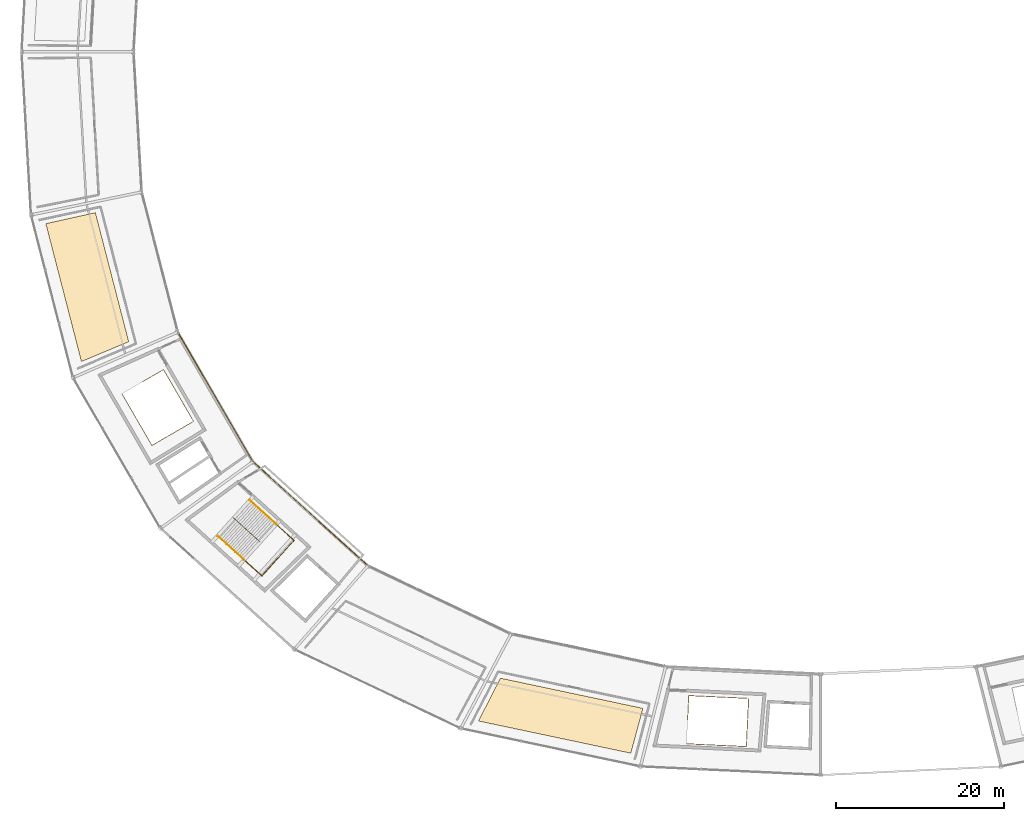
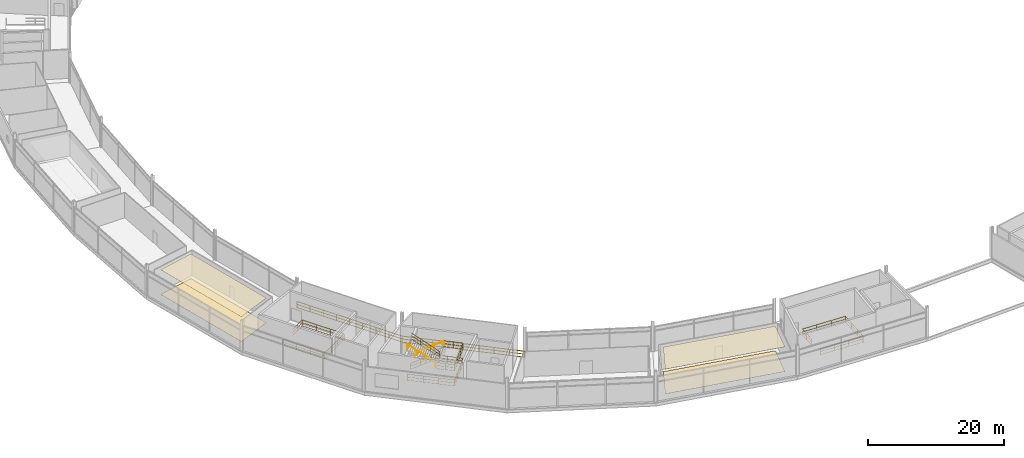
# One storey, part 82 of 86: 9 railings, 4 coverings.
"""IFC4 building model written with IfcOpenShell, lengths in metres."""

from ifc_helpers import new_model, si_unit, direction, frame, origin, origin_2d, place, context, subcontext, project, spatial, polyline, rectangle, outline, extrude, material, layer, layer_set, type_object, element, save


model = new_model("IFC4")

# Units and contexts
model_context = context("Model", 3, precision=1e-05, world=origin(), true_north=direction((0.0, 1.0)))
body_context = subcontext(model_context, "Body", "Model", "MODEL_VIEW")
ifc_project = project(units=[si_unit("LENGTHUNIT", "METRE"), si_unit("AREAUNIT", "SQUARE_METRE"), si_unit("VOLUMEUNIT", "CUBIC_METRE"), si_unit("PLANEANGLEUNIT", "RADIAN"), si_unit("MASSUNIT", "GRAM", prefix="KILO")], contexts=[model_context])

# Site, building, storey
site_placement = place(None, origin())
site = spatial("IfcSite", under=ifc_project, at=site_placement, CompositionType="ELEMENT")
building_placement = place(site_placement, origin())
building = spatial("IfcBuilding", under=site, at=building_placement, Name="Kazemori Nagisa Stadium", CompositionType="ELEMENT")
storey_placement = place(building_placement, frame((0.0, 0.0, 31.280029296875)))
storey = spatial("IfcBuildingStorey", under=building, at=storey_placement, Name="L06", CompositionType="ELEMENT", Elevation=31.280029296875)

# Coverings
ifc_material_1 = material(Name="Mineral-fibre acoustic board", Category="gypsum")
ifc_layer_1 = layer(ifc_material_1, 0.02001953125, Name="Mineral-fibre acoustic board", Category="gypsum")
ifc_layer_set_1 = layer_set([ifc_layer_1], Name="Mineral-fibre acoustic board")
covering_type_1 = type_object("IfcCoveringType", Name="Cov_CEIL", PredefinedType="CEILING", material=ifc_layer_set_1)
covering_1_placement = place(storey_placement, frame((0.0, 0.0, 4.429931640625)))
element("IfcCovering", 1, at=covering_1_placement, inside=storey, type_object=covering_type_1, Name="Acoustic ceiling L06-B16", PredefinedType="CEILING", context=body_context, shape_type="SweptSolid", body=[
    extrude(outline(polyline([(36.764404296875, 82.866455078125), (40.7255859375, 67.52197265625), (35.103759765625, 65.166015625), (30.871826171875, 81.55908203125), (36.764404296875, 82.866455078125)])), origin(), (0.0, 0.0, 1.0), 0.02001953125),
])
covering_2_placement = place(storey_placement, frame((0.0, 0.0, 4.429931640625)))
element("IfcCovering", 2, at=covering_2_placement, inside=storey, type_object=covering_type_1, Name="Acoustic ceiling L06-B20", PredefinedType="CEILING", context=body_context, shape_type="SweptSolid", body=[
    extrude(outline(polyline([(84.913818359375, 27.52001953125), (101.864013671875, 23.93408203125), (100.419677734375, 18.599853515625), (82.311279296875, 22.430908203125), (84.913818359375, 27.52001953125)])), origin(), (0.0, 0.0, 1.0), 0.02001953125),
])
ifc_material_2 = material(Name="Porcelain stoneware tile", Category="masonry")
ifc_layer_2 = layer(ifc_material_2, 0.02490234375, Name="Porcelain stoneware tile", Category="masonry")
ifc_layer_set_2 = layer_set([ifc_layer_2], Name="Porcelain stoneware tile")
covering_type_2 = type_object("IfcCoveringType", Name="Cov_FLOOR", PredefinedType="FLOORING", material=ifc_layer_set_2)
covering_3_placement = place(storey_placement, origin())
element("IfcCovering", 3, at=covering_3_placement, inside=storey, type_object=covering_type_2, Name="Porcelain floor finish L06-B16", PredefinedType="FLOORING", context=body_context, shape_type="SweptSolid", body=[
    extrude(outline(polyline([(36.764404296875, 82.866455078125), (40.7255859375, 67.52197265625), (35.103759765625, 65.166015625), (30.871826171875, 81.55908203125), (36.764404296875, 82.866455078125)])), origin(), (0.0, 0.0, 1.0), 0.02490234375),
])
covering_4_placement = place(storey_placement, origin())
element("IfcCovering", 4, at=covering_4_placement, inside=storey, type_object=covering_type_2, Name="Porcelain floor finish L06-B20", PredefinedType="FLOORING", context=body_context, shape_type="SweptSolid", body=[
    extrude(outline(polyline([(84.913818359375, 27.52001953125), (101.864013671875, 23.93408203125), (100.419677734375, 18.599853515625), (82.311279296875, 22.430908203125), (84.913818359375, 27.52001953125)])), origin(), (0.0, 0.0, 1.0), 0.02490234375),
])

# Railings
ifc_material_3 = material(Name="Laminated safety glass and stainless steel SUS304", Category="steel")
railing_type_1 = type_object("IfcRailingType", Name="Rail_BAL", PredefinedType="BALUSTRADE", material=ifc_material_3)
railing_1_placement = place(storey_placement, frame((46.55908203125, 68.67529296875, 0.0)))
element("IfcRailing", 5, at=railing_1_placement, inside=storey, type_object=railing_type_1, Name="Upper concourse balustrade L06-B17", PredefinedType="BALUSTRADE", context=body_context, shape_type="SweptSolid", body=[
    extrude(rectangle(XDim=0.050048828125, YDim=0.050048828125, at=origin_2d()), frame((0.0, 0.0, 1.09521484375), z_axis=(0.501606704589, -0.865095783085, 0.0), x_axis=(0.865095783085, 0.501606704589, 0.0)), (0.0, 0.0, 1.0), 17.8125),
    extrude(rectangle(XDim=0.03759765625, YDim=0.03759765625, at=origin_2d()), frame((0.0, 0.0, 0.58251953125), z_axis=(0.501606704589, -0.865095783085, 0.0), x_axis=(0.865095783085, 0.501606704589, 0.0)), (0.0, 0.0, 1.0), 17.8125),
    extrude(rectangle(XDim=0.03759765625, YDim=0.03759765625, at=origin_2d()), frame((0.0, 0.0, 0.02490234375), z_axis=(0.501606704589, -0.865095783085, 0.0), x_axis=(0.865095783085, 0.501606704589, 0.0)), (0.0, 0.0, 1.0), 17.8125),
    extrude(rectangle(XDim=0.044921875, YDim=0.044921875, at=origin_2d()), origin(), (0.0, 0.0, 1.0), 1.070068359375),
    extrude(rectangle(XDim=0.044921875, YDim=0.044921875, at=origin_2d()), frame((1.116943359375, -1.92626953125, 0.0)), (0.0, 0.0, 1.0), 1.070068359375),
    extrude(rectangle(XDim=0.044921875, YDim=0.044921875, at=origin_2d()), frame((2.233642578125, -3.852294921875, 0.0)), (0.0, 0.0, 1.0), 1.070068359375),
    extrude(rectangle(XDim=0.044921875, YDim=0.044921875, at=origin_2d()), frame((3.3505859375, -5.778564453125, 0.0)), (0.0, 0.0, 1.0), 1.070068359375),
    extrude(rectangle(XDim=0.044921875, YDim=0.044921875, at=origin_2d()), frame((4.46728515625, -7.70458984375, 0.0)), (0.0, 0.0, 1.0), 1.070068359375),
    extrude(rectangle(XDim=0.044921875, YDim=0.044921875, at=origin_2d()), frame((5.584228515625, -9.630859375, 0.0)), (0.0, 0.0, 1.0), 1.070068359375),
    extrude(rectangle(XDim=0.044921875, YDim=0.044921875, at=origin_2d()), frame((6.701171875, -11.55712890625, 0.0)), (0.0, 0.0, 1.0), 1.070068359375),
    extrude(rectangle(XDim=0.044921875, YDim=0.044921875, at=origin_2d()), frame((7.81787109375, -13.483154296875, 0.0)), (0.0, 0.0, 1.0), 1.070068359375),
    extrude(rectangle(XDim=0.044921875, YDim=0.044921875, at=origin_2d()), frame((8.934814453125, -15.409423828125, 0.0)), (0.0, 0.0, 1.0), 1.070068359375),
])
railing_2_placement = place(storey_placement, frame((55.493896484375, 53.265869140625, 0.0)))
element("IfcRailing", 6, at=railing_2_placement, inside=storey, type_object=railing_type_1, Name="Upper concourse balustrade L06-B18", PredefinedType="BALUSTRADE", context=body_context, shape_type="SweptSolid", body=[
    extrude(rectangle(XDim=0.050048828125, YDim=0.050048828125, at=origin_2d()), frame((0.0, 0.0, 1.09521484375), z_axis=(0.741349142139, -0.671119549298, 0.0), x_axis=(0.671119549298, 0.741349142139, 0.0)), (0.0, 0.0, 1.0), 18.44189453125),
    extrude(rectangle(XDim=0.03759765625, YDim=0.03759765625, at=origin_2d()), frame((0.0, 0.0, 0.58251953125), z_axis=(0.741349142139, -0.671119549298, 0.0), x_axis=(0.671119549298, 0.741349142139, 0.0)), (0.0, 0.0, 1.0), 18.44189453125),
    extrude(rectangle(XDim=0.03759765625, YDim=0.03759765625, at=origin_2d()), frame((0.0, 0.0, 0.02490234375), z_axis=(0.741349142139, -0.671119549298, 0.0), x_axis=(0.671119549298, 0.741349142139, 0.0)), (0.0, 0.0, 1.0), 18.44189453125),
    extrude(rectangle(XDim=0.044921875, YDim=0.044921875, at=origin_2d()), origin(), (0.0, 0.0, 1.0), 1.070068359375),
    extrude(rectangle(XDim=0.044921875, YDim=0.044921875, at=origin_2d()), frame((1.708984375, -1.547119140625, 0.0)), (0.0, 0.0, 1.0), 1.070068359375),
    extrude(rectangle(XDim=0.044921875, YDim=0.044921875, at=origin_2d()), frame((3.41796875, -3.09423828125, 0.0)), (0.0, 0.0, 1.0), 1.070068359375),
    extrude(rectangle(XDim=0.044921875, YDim=0.044921875, at=origin_2d()), frame((5.126953125, -4.641357421875, 0.0)), (0.0, 0.0, 1.0), 1.070068359375),
    extrude(rectangle(XDim=0.044921875, YDim=0.044921875, at=origin_2d()), frame((6.8359375, -6.1884765625, 0.0)), (0.0, 0.0, 1.0), 1.070068359375),
    extrude(rectangle(XDim=0.044921875, YDim=0.044921875, at=origin_2d()), frame((8.544921875, -7.7353515625, 0.0)), (0.0, 0.0, 1.0), 1.070068359375),
    extrude(rectangle(XDim=0.044921875, YDim=0.044921875, at=origin_2d()), frame((10.25390625, -9.282470703125, 0.0)), (0.0, 0.0, 1.0), 1.070068359375),
    extrude(rectangle(XDim=0.044921875, YDim=0.044921875, at=origin_2d()), frame((11.962890625, -10.82958984375, 0.0)), (0.0, 0.0, 1.0), 1.070068359375),
    extrude(rectangle(XDim=0.044921875, YDim=0.044921875, at=origin_2d()), frame((13.671875, -12.376708984375, 0.0)), (0.0, 0.0, 1.0), 1.070068359375),
])
ifc_material_4 = material(Name="Galvanised powder-coated steel", Category="steel")
railing_type_2 = type_object("IfcRailingType", Name="Rail_GUARD", PredefinedType="GUARDRAIL", material=ifc_material_4)
railing_3_placement = place(storey_placement, frame((42.39306640625, 62.766357421875, 0.0)))
element("IfcRailing", 7, at=railing_3_placement, inside=storey, type_object=railing_type_2, Name="Stair well perimeter guard ST09-L06", PredefinedType="GUARDRAIL", context=body_context, shape_type="SweptSolid", body=[
    extrude(rectangle(XDim=0.050048828125, YDim=0.050048828125, at=origin_2d()), frame((0.0, 0.0, 1.09521484375), z_axis=(0.865083975458, 0.501627068055, 0.0), x_axis=(-0.501627068055, 0.865083975458, 0.0)), (0.0, 0.0, 1.0), 2.85009765625),
    extrude(rectangle(XDim=0.03759765625, YDim=0.03759765625, at=origin_2d()), frame((0.0, 0.0, 0.58251953125), z_axis=(0.865083975458, 0.501627068055, 0.0), x_axis=(-0.501627068055, 0.865083975458, 0.0)), (0.0, 0.0, 1.0), 2.85009765625),
    extrude(rectangle(XDim=0.03759765625, YDim=0.03759765625, at=origin_2d()), frame((0.0, 0.0, 0.02490234375), z_axis=(0.865083975458, 0.501627068055, 0.0), x_axis=(-0.501627068055, 0.865083975458, 0.0)), (0.0, 0.0, 1.0), 2.85009765625),
    extrude(rectangle(XDim=0.050048828125, YDim=0.050048828125, at=origin_2d()), frame((2.465576171875, 1.4296875, 1.09521484375), z_axis=(0.501595007813, -0.865102565097, 0.0), x_axis=(0.865102565097, 0.501595007813, 0.0)), (0.0, 0.0, 1.0), 7.094970703125),
    extrude(rectangle(XDim=0.03759765625, YDim=0.03759765625, at=origin_2d()), frame((2.465576171875, 1.4296875, 0.58251953125), z_axis=(0.501595007813, -0.865102565097, 0.0), x_axis=(0.865102565097, 0.501595007813, 0.0)), (0.0, 0.0, 1.0), 7.094970703125),
    extrude(rectangle(XDim=0.03759765625, YDim=0.03759765625, at=origin_2d()), frame((2.465576171875, 1.4296875, 0.02490234375), z_axis=(0.501595007813, -0.865102565097, 0.0), x_axis=(0.865102565097, 0.501595007813, 0.0)), (0.0, 0.0, 1.0), 7.094970703125),
    extrude(rectangle(XDim=0.050048828125, YDim=0.050048828125, at=origin_2d()), frame((6.0244140625, -4.708251953125, 1.09521484375), z_axis=(-0.865091784601, -0.501613600508, 0.0), x_axis=(0.501613600508, -0.865091784601, 0.0)), (0.0, 0.0, 1.0), 5.699951171875),
    extrude(rectangle(XDim=0.03759765625, YDim=0.03759765625, at=origin_2d()), frame((6.0244140625, -4.708251953125, 0.58251953125), z_axis=(-0.865091784601, -0.501613600508, 0.0), x_axis=(0.501613600508, -0.865091784601, 0.0)), (0.0, 0.0, 1.0), 5.699951171875),
    extrude(rectangle(XDim=0.03759765625, YDim=0.03759765625, at=origin_2d()), frame((6.0244140625, -4.708251953125, 0.02490234375), z_axis=(-0.865091784601, -0.501613600508, 0.0), x_axis=(0.501613600508, -0.865091784601, 0.0)), (0.0, 0.0, 1.0), 5.699951171875),
    extrude(rectangle(XDim=0.050048828125, YDim=0.050048828125, at=origin_2d()), frame((1.093505859375, -7.5673828125, 1.09521484375), z_axis=(-0.501635691901, 0.865078974783, 0.0), x_axis=(-0.865078974783, -0.501635691901, 0.0)), (0.0, 0.0, 1.0), 7.094970703125),
    extrude(rectangle(XDim=0.03759765625, YDim=0.03759765625, at=origin_2d()), frame((1.093505859375, -7.5673828125, 0.58251953125), z_axis=(-0.501635691901, 0.865078974783, 0.0), x_axis=(-0.865078974783, -0.501635691901, 0.0)), (0.0, 0.0, 1.0), 7.094970703125),
    extrude(rectangle(XDim=0.03759765625, YDim=0.03759765625, at=origin_2d()), frame((1.093505859375, -7.5673828125, 0.02490234375), z_axis=(-0.501635691901, 0.865078974783, 0.0), x_axis=(-0.865078974783, -0.501635691901, 0.0)), (0.0, 0.0, 1.0), 7.094970703125),
    extrude(rectangle(XDim=0.044921875, YDim=0.044921875, at=origin_2d()), origin(), (0.0, 0.0, 1.0), 1.070068359375),
    extrude(rectangle(XDim=0.044921875, YDim=0.044921875, at=origin_2d()), frame((1.23291015625, 0.71484375, 0.0)), (0.0, 0.0, 1.0), 1.070068359375),
    extrude(rectangle(XDim=0.044921875, YDim=0.044921875, at=origin_2d()), frame((2.465576171875, 1.4296875, 0.0)), (0.0, 0.0, 1.0), 1.070068359375),
    extrude(rectangle(XDim=0.044921875, YDim=0.044921875, at=origin_2d()), frame((3.65185546875, -0.6162109375, 0.0)), (0.0, 0.0, 1.0), 1.070068359375),
    extrude(rectangle(XDim=0.044921875, YDim=0.044921875, at=origin_2d()), frame((4.838134765625, -2.662353515625, 0.0)), (0.0, 0.0, 1.0), 1.070068359375),
    extrude(rectangle(XDim=0.044921875, YDim=0.044921875, at=origin_2d()), frame((6.0244140625, -4.708251953125, 0.0)), (0.0, 0.0, 1.0), 1.070068359375),
    extrude(rectangle(XDim=0.044921875, YDim=0.044921875, at=origin_2d()), frame((4.380859375, -5.661376953125, 0.0)), (0.0, 0.0, 1.0), 1.070068359375),
    extrude(rectangle(XDim=0.044921875, YDim=0.044921875, at=origin_2d()), frame((2.737060546875, -6.6142578125, 0.0)), (0.0, 0.0, 1.0), 1.070068359375),
    extrude(rectangle(XDim=0.044921875, YDim=0.044921875, at=origin_2d()), frame((1.093505859375, -7.5673828125, 0.0)), (0.0, 0.0, 1.0), 1.070068359375),
    extrude(rectangle(XDim=0.044921875, YDim=0.044921875, at=origin_2d()), frame((-0.0927734375, -5.521484375, 0.0)), (0.0, 0.0, 1.0), 1.070068359375),
    extrude(rectangle(XDim=0.044921875, YDim=0.044921875, at=origin_2d()), frame((-1.279296875, -3.4755859375, 0.0)), (0.0, 0.0, 1.0), 1.070068359375),
    extrude(rectangle(XDim=0.044921875, YDim=0.044921875, at=origin_2d()), frame((-2.465576171875, -1.4296875, 0.0)), (0.0, 0.0, 1.0), 1.070068359375),
])
railing_4_placement = place(storey_placement, frame((55.12353515625, 48.665771484375, 0.0)))
element("IfcRailing", 8, at=railing_4_placement, inside=storey, type_object=railing_type_2, Name="Stair well perimeter guard ST03-L06", PredefinedType="GUARDRAIL", context=body_context, shape_type="SweptSolid", body=[
    extrude(rectangle(XDim=0.050048828125, YDim=0.050048828125, at=origin_2d()), frame((0.0, 0.0, 1.09521484375), z_axis=(0.741349073354, -0.671119625281, 0.0), x_axis=(0.671119625281, 0.741349073354, 0.0)), (0.0, 0.0, 1.0), 7.09521484375),
    extrude(rectangle(XDim=0.03759765625, YDim=0.03759765625, at=origin_2d()), frame((0.0, 0.0, 0.58251953125), z_axis=(0.741349073354, -0.671119625281, 0.0), x_axis=(0.671119625281, 0.741349073354, 0.0)), (0.0, 0.0, 1.0), 7.09521484375),
    extrude(rectangle(XDim=0.03759765625, YDim=0.03759765625, at=origin_2d()), frame((0.0, 0.0, 0.02490234375), z_axis=(0.741349073354, -0.671119625281, 0.0), x_axis=(0.671119625281, 0.741349073354, 0.0)), (0.0, 0.0, 1.0), 7.09521484375),
    extrude(rectangle(XDim=0.050048828125, YDim=0.050048828125, at=origin_2d()), frame((5.260009765625, -4.76171875, 1.09521484375), z_axis=(-0.67113423669, -0.74133584585, 0.0), x_axis=(0.74133584585, -0.67113423669, 0.0)), (0.0, 0.0, 1.0), 5.699951171875),
    extrude(rectangle(XDim=0.03759765625, YDim=0.03759765625, at=origin_2d()), frame((5.260009765625, -4.76171875, 0.58251953125), z_axis=(-0.67113423669, -0.74133584585, 0.0), x_axis=(0.74133584585, -0.67113423669, 0.0)), (0.0, 0.0, 1.0), 5.699951171875),
    extrude(rectangle(XDim=0.03759765625, YDim=0.03759765625, at=origin_2d()), frame((5.260009765625, -4.76171875, 0.02490234375), z_axis=(-0.67113423669, -0.74133584585, 0.0), x_axis=(0.74133584585, -0.67113423669, 0.0)), (0.0, 0.0, 1.0), 5.699951171875),
    extrude(rectangle(XDim=0.050048828125, YDim=0.050048828125, at=origin_2d()), frame((1.4345703125, -8.9873046875, 1.09521484375), z_axis=(-0.741350695223, 0.671117833686, 0.0), x_axis=(-0.671117833686, -0.741350695223, 0.0)), (0.0, 0.0, 1.0), 7.0947265625),
    extrude(rectangle(XDim=0.03759765625, YDim=0.03759765625, at=origin_2d()), frame((1.4345703125, -8.9873046875, 0.58251953125), z_axis=(-0.741350695223, 0.671117833686, 0.0), x_axis=(-0.671117833686, -0.741350695223, 0.0)), (0.0, 0.0, 1.0), 7.0947265625),
    extrude(rectangle(XDim=0.03759765625, YDim=0.03759765625, at=origin_2d()), frame((1.4345703125, -8.9873046875, 0.02490234375), z_axis=(-0.741350695223, 0.671117833686, 0.0), x_axis=(-0.671117833686, -0.741350695223, 0.0)), (0.0, 0.0, 1.0), 7.0947265625),
    extrude(rectangle(XDim=0.044921875, YDim=0.044921875, at=origin_2d()), origin(), (0.0, 0.0, 1.0), 1.070068359375),
    extrude(rectangle(XDim=0.044921875, YDim=0.044921875, at=origin_2d()), frame((1.75341796875, -1.587158203125, 0.0)), (0.0, 0.0, 1.0), 1.070068359375),
    extrude(rectangle(XDim=0.044921875, YDim=0.044921875, at=origin_2d()), frame((3.506591796875, -3.174560546875, 0.0)), (0.0, 0.0, 1.0), 1.070068359375),
    extrude(rectangle(XDim=0.044921875, YDim=0.044921875, at=origin_2d()), frame((5.260009765625, -4.76171875, 0.0)), (0.0, 0.0, 1.0), 1.070068359375),
    extrude(rectangle(XDim=0.044921875, YDim=0.044921875, at=origin_2d()), frame((3.98486328125, -6.170166015625, 0.0)), (0.0, 0.0, 1.0), 1.070068359375),
    extrude(rectangle(XDim=0.044921875, YDim=0.044921875, at=origin_2d()), frame((2.709716796875, -7.578857421875, 0.0)), (0.0, 0.0, 1.0), 1.070068359375),
    extrude(rectangle(XDim=0.044921875, YDim=0.044921875, at=origin_2d()), frame((1.4345703125, -8.9873046875, 0.0)), (0.0, 0.0, 1.0), 1.070068359375),
    extrude(rectangle(XDim=0.044921875, YDim=0.044921875, at=origin_2d()), frame((-0.318603515625, -7.400146484375, 0.0)), (0.0, 0.0, 1.0), 1.070068359375),
    extrude(rectangle(XDim=0.044921875, YDim=0.044921875, at=origin_2d()), frame((-2.072021484375, -5.81298828125, 0.0)), (0.0, 0.0, 1.0), 1.070068359375),
    extrude(rectangle(XDim=0.044921875, YDim=0.044921875, at=origin_2d()), frame((-3.8251953125, -4.225830078125, 0.0)), (0.0, 0.0, 1.0), 1.070068359375),
])
railing_5_placement = place(storey_placement, frame((53.151611328125, 46.606689453125, 0.0)))
element("IfcRailing", 9, at=railing_5_placement, inside=storey, type_object=railing_type_2, Name="Stair central guard ST03-L06", PredefinedType="GUARDRAIL", context=body_context, shape_type="SweptSolid", body=[
    extrude(rectangle(XDim=0.050048828125, YDim=0.050048828125, at=origin_2d()), frame((0.0, 0.0, 1.09521484375), z_axis=(0.627557777508, -0.568113486393, 0.532370456043), x_axis=(0.67112318634, 0.741345849626, 0.0)), (0.0, 0.0, 1.0), 5.109130859375),
    extrude(rectangle(XDim=0.03759765625, YDim=0.03759765625, at=origin_2d()), frame((0.0, 0.0, 0.58251953125), z_axis=(0.627557777508, -0.568113486393, 0.532370456043), x_axis=(0.67112318634, 0.741345849626, 0.0)), (0.0, 0.0, 1.0), 5.109130859375),
    extrude(rectangle(XDim=0.03759765625, YDim=0.03759765625, at=origin_2d()), frame((0.0, 0.0, 0.02490234375), z_axis=(0.627557777508, -0.568113486393, 0.532370456043), x_axis=(0.67112318634, 0.741345849626, 0.0)), (0.0, 0.0, 1.0), 5.109130859375),
    extrude(rectangle(XDim=0.050048828125, YDim=0.050048828125, at=origin_2d()), frame((3.206298828125, -2.902587890625, 3.81494140625), z_axis=(-0.624200602078, 0.565073454279, 0.539504957933), x_axis=(-0.671122625547, -0.741346357298, 0.0)), (0.0, 0.0, 1.0), 5.04150390625),
    extrude(rectangle(XDim=0.03759765625, YDim=0.03759765625, at=origin_2d()), frame((3.206298828125, -2.902587890625, 3.302490234375), z_axis=(-0.624200602078, 0.565073454279, 0.539504957933), x_axis=(-0.671122625547, -0.741346357298, 0.0)), (0.0, 0.0, 1.0), 5.04150390625),
    extrude(rectangle(XDim=0.03759765625, YDim=0.03759765625, at=origin_2d()), frame((3.206298828125, -2.902587890625, 2.7451171875), z_axis=(-0.624200602078, 0.565073454279, 0.539504957933), x_axis=(-0.671122625547, -0.741346357298, 0.0)), (0.0, 0.0, 1.0), 5.04150390625),
    extrude(rectangle(XDim=0.044921875, YDim=0.044921875, at=origin_2d()), origin(), (0.0, 0.0, 1.0), 1.070068359375),
    extrude(rectangle(XDim=0.044921875, YDim=0.044921875, at=origin_2d()), frame((1.06884765625, -0.967529296875, 0.90673828125)), (0.0, 0.0, 1.0), 1.070068359375),
    extrude(rectangle(XDim=0.044921875, YDim=0.044921875, at=origin_2d()), frame((2.137451171875, -1.93505859375, 1.813232421875)), (0.0, 0.0, 1.0), 1.070068359375),
    extrude(rectangle(XDim=0.044921875, YDim=0.044921875, at=origin_2d()), frame((3.206298828125, -2.902587890625, 2.719970703125)), (0.0, 0.0, 1.0), 1.070068359375),
    extrude(rectangle(XDim=0.044921875, YDim=0.044921875, at=origin_2d()), frame((2.1572265625, -1.952880859375, 3.626708984375)), (0.0, 0.0, 1.0), 1.070068359375),
    extrude(rectangle(XDim=0.044921875, YDim=0.044921875, at=origin_2d()), frame((1.1083984375, -1.00341796875, 4.533203125)), (0.0, 0.0, 1.0), 1.070068359375),
    extrude(rectangle(XDim=0.044921875, YDim=0.044921875, at=origin_2d()), frame((0.059326171875, -0.0537109375, 5.43994140625)), (0.0, 0.0, 1.0), 1.070068359375),
])
railing_6_placement = place(storey_placement, frame((58.270751953125, 45.81689453125, 2.719970703125)))
element("IfcRailing", 10, at=railing_6_placement, inside=storey, type_object=railing_type_2, Name="Stair landing guard ST03-L06", PredefinedType="GUARDRAIL", context=body_context, shape_type="SweptSolid", body=[
    extrude(rectangle(XDim=0.050048828125, YDim=0.050048828125, at=origin_2d()), frame((0.0, 0.0, 1.09521484375), z_axis=(0.741314535645, -0.671157775223, 0.0), x_axis=(0.671157775223, 0.741314535645, 0.0)), (0.0, 0.0, 1.0), 2.85009765625),
    extrude(rectangle(XDim=0.03759765625, YDim=0.03759765625, at=origin_2d()), frame((0.0, 0.0, 0.58251953125), z_axis=(0.741314535645, -0.671157775223, 0.0), x_axis=(0.671157775223, 0.741314535645, 0.0)), (0.0, 0.0, 1.0), 2.85009765625),
    extrude(rectangle(XDim=0.03759765625, YDim=0.03759765625, at=origin_2d()), frame((0.0, 0.0, 0.02490234375), z_axis=(0.741314535645, -0.671157775223, 0.0), x_axis=(0.671157775223, 0.741314535645, 0.0)), (0.0, 0.0, 1.0), 2.85009765625),
    extrude(rectangle(XDim=0.050048828125, YDim=0.050048828125, at=origin_2d()), frame((2.11279296875, -1.912841796875, 1.09521484375), z_axis=(-0.67113423669, -0.74133584585, 0.0), x_axis=(0.74133584585, -0.67113423669, 0.0)), (0.0, 0.0, 1.0), 5.699951171875),
    extrude(rectangle(XDim=0.03759765625, YDim=0.03759765625, at=origin_2d()), frame((2.11279296875, -1.912841796875, 0.58251953125), z_axis=(-0.67113423669, -0.74133584585, 0.0), x_axis=(0.74133584585, -0.67113423669, 0.0)), (0.0, 0.0, 1.0), 5.699951171875),
    extrude(rectangle(XDim=0.03759765625, YDim=0.03759765625, at=origin_2d()), frame((2.11279296875, -1.912841796875, 0.02490234375), z_axis=(-0.67113423669, -0.74133584585, 0.0), x_axis=(0.74133584585, -0.67113423669, 0.0)), (0.0, 0.0, 1.0), 5.699951171875),
    extrude(rectangle(XDim=0.050048828125, YDim=0.050048828125, at=origin_2d()), frame((-1.712646484375, -6.138427734375, 1.09521484375), z_axis=(-0.741357156534, 0.671110696127, 0.0), x_axis=(-0.671110696127, -0.741357156534, 0.0)), (0.0, 0.0, 1.0), 2.849853515625),
    extrude(rectangle(XDim=0.03759765625, YDim=0.03759765625, at=origin_2d()), frame((-1.712646484375, -6.138427734375, 0.58251953125), z_axis=(-0.741357156534, 0.671110696127, 0.0), x_axis=(-0.671110696127, -0.741357156534, 0.0)), (0.0, 0.0, 1.0), 2.849853515625),
    extrude(rectangle(XDim=0.03759765625, YDim=0.03759765625, at=origin_2d()), frame((-1.712646484375, -6.138427734375, 0.02490234375), z_axis=(-0.741357156534, 0.671110696127, 0.0), x_axis=(-0.671110696127, -0.741357156534, 0.0)), (0.0, 0.0, 1.0), 2.849853515625),
    extrude(rectangle(XDim=0.044921875, YDim=0.044921875, at=origin_2d()), origin(), (0.0, 0.0, 1.0), 1.070068359375),
    extrude(rectangle(XDim=0.044921875, YDim=0.044921875, at=origin_2d()), frame((1.056396484375, -0.95654296875, 0.0)), (0.0, 0.0, 1.0), 1.070068359375),
    extrude(rectangle(XDim=0.044921875, YDim=0.044921875, at=origin_2d()), frame((2.11279296875, -1.912841796875, 0.0)), (0.0, 0.0, 1.0), 1.070068359375),
    extrude(rectangle(XDim=0.044921875, YDim=0.044921875, at=origin_2d()), frame((0.837646484375, -3.3212890625, 0.0)), (0.0, 0.0, 1.0), 1.070068359375),
    extrude(rectangle(XDim=0.044921875, YDim=0.044921875, at=origin_2d()), frame((-0.4375, -4.72998046875, 0.0)), (0.0, 0.0, 1.0), 1.070068359375),
    extrude(rectangle(XDim=0.044921875, YDim=0.044921875, at=origin_2d()), frame((-1.712646484375, -6.138427734375, 0.0)), (0.0, 0.0, 1.0), 1.070068359375),
    extrude(rectangle(XDim=0.044921875, YDim=0.044921875, at=origin_2d()), frame((-2.76904296875, -5.18212890625, 0.0)), (0.0, 0.0, 1.0), 1.070068359375),
    extrude(rectangle(XDim=0.044921875, YDim=0.044921875, at=origin_2d()), frame((-3.825439453125, -4.225830078125, 0.0)), (0.0, 0.0, 1.0), 1.070068359375),
])
railing_7_placement = place(storey_placement, frame((107.190185546875, 22.588134765625, 0.0)))
element("IfcRailing", 11, at=railing_7_placement, inside=storey, type_object=railing_type_2, Name="Stair well perimeter guard ST12-L06", PredefinedType="GUARDRAIL", context=body_context, shape_type="SweptSolid", body=[
    extrude(rectangle(XDim=0.050048828125, YDim=0.050048828125, at=origin_2d()), frame((0.0, 0.0, 1.09521484375), z_axis=(0.047202899858, 0.998885321869, 0.0), x_axis=(-0.998885321869, 0.047202899858, 0.0)), (0.0, 0.0, 1.0), 2.849853515625),
    extrude(rectangle(XDim=0.03759765625, YDim=0.03759765625, at=origin_2d()), frame((0.0, 0.0, 0.58251953125), z_axis=(0.047202899858, 0.998885321869, 0.0), x_axis=(-0.998885321869, 0.047202899858, 0.0)), (0.0, 0.0, 1.0), 2.849853515625),
    extrude(rectangle(XDim=0.03759765625, YDim=0.03759765625, at=origin_2d()), frame((0.0, 0.0, 0.02490234375), z_axis=(0.047202899858, 0.998885321869, 0.0), x_axis=(-0.998885321869, 0.047202899858, 0.0)), (0.0, 0.0, 1.0), 2.849853515625),
    extrude(rectangle(XDim=0.050048828125, YDim=0.050048828125, at=origin_2d()), frame((0.134521484375, 2.8466796875, 1.09521484375), z_axis=(0.998884968272, -0.04721038191, 0.0), x_axis=(0.04721038191, 0.998884968272, 0.0)), (0.0, 0.0, 1.0), 7.094970703125),
    extrude(rectangle(XDim=0.03759765625, YDim=0.03759765625, at=origin_2d()), frame((0.134521484375, 2.8466796875, 0.58251953125), z_axis=(0.998884968272, -0.04721038191, 0.0), x_axis=(0.04721038191, 0.998884968272, 0.0)), (0.0, 0.0, 1.0), 7.094970703125),
    extrude(rectangle(XDim=0.03759765625, YDim=0.03759765625, at=origin_2d()), frame((0.134521484375, 2.8466796875, 0.02490234375), z_axis=(0.998884968272, -0.04721038191, 0.0), x_axis=(0.04721038191, 0.998884968272, 0.0)), (0.0, 0.0, 1.0), 7.094970703125),
    extrude(rectangle(XDim=0.050048828125, YDim=0.050048828125, at=origin_2d()), frame((7.2216796875, 2.51171875, 1.09521484375), z_axis=(-0.047243616775, -0.998883396936, 0.0), x_axis=(0.998883396936, -0.047243616775, 0.0)), (0.0, 0.0, 1.0), 5.699951171875),
    extrude(rectangle(XDim=0.03759765625, YDim=0.03759765625, at=origin_2d()), frame((7.2216796875, 2.51171875, 0.58251953125), z_axis=(-0.047243616775, -0.998883396936, 0.0), x_axis=(0.998883396936, -0.047243616775, 0.0)), (0.0, 0.0, 1.0), 5.699951171875),
    extrude(rectangle(XDim=0.03759765625, YDim=0.03759765625, at=origin_2d()), frame((7.2216796875, 2.51171875, 0.02490234375), z_axis=(-0.047243616775, -0.998883396936, 0.0), x_axis=(0.998883396936, -0.047243616775, 0.0)), (0.0, 0.0, 1.0), 5.699951171875),
    extrude(rectangle(XDim=0.050048828125, YDim=0.050048828125, at=origin_2d()), frame((6.952392578125, -3.181884765625, 1.09521484375), z_axis=(-0.998884891575, 0.047212004659, 0.0), x_axis=(-0.047212004659, -0.998884891575, 0.0)), (0.0, 0.0, 1.0), 7.0947265625),
    extrude(rectangle(XDim=0.03759765625, YDim=0.03759765625, at=origin_2d()), frame((6.952392578125, -3.181884765625, 0.58251953125), z_axis=(-0.998884891575, 0.047212004659, 0.0), x_axis=(-0.047212004659, -0.998884891575, 0.0)), (0.0, 0.0, 1.0), 7.0947265625),
    extrude(rectangle(XDim=0.03759765625, YDim=0.03759765625, at=origin_2d()), frame((6.952392578125, -3.181884765625, 0.02490234375), z_axis=(-0.998884891575, 0.047212004659, 0.0), x_axis=(-0.047212004659, -0.998884891575, 0.0)), (0.0, 0.0, 1.0), 7.0947265625),
    extrude(rectangle(XDim=0.044921875, YDim=0.044921875, at=origin_2d()), origin(), (0.0, 0.0, 1.0), 1.070068359375),
    extrude(rectangle(XDim=0.044921875, YDim=0.044921875, at=origin_2d()), frame((0.0673828125, 1.42333984375, 0.0)), (0.0, 0.0, 1.0), 1.070068359375),
    extrude(rectangle(XDim=0.044921875, YDim=0.044921875, at=origin_2d()), frame((0.134521484375, 2.8466796875, 0.0)), (0.0, 0.0, 1.0), 1.070068359375),
    extrude(rectangle(XDim=0.044921875, YDim=0.044921875, at=origin_2d()), frame((2.496826171875, 2.735107421875, 0.0)), (0.0, 0.0, 1.0), 1.070068359375),
    extrude(rectangle(XDim=0.044921875, YDim=0.044921875, at=origin_2d()), frame((4.859375, 2.623291015625, 0.0)), (0.0, 0.0, 1.0), 1.070068359375),
    extrude(rectangle(XDim=0.044921875, YDim=0.044921875, at=origin_2d()), frame((7.2216796875, 2.51171875, 0.0)), (0.0, 0.0, 1.0), 1.070068359375),
    extrude(rectangle(XDim=0.044921875, YDim=0.044921875, at=origin_2d()), frame((7.1318359375, 0.61376953125, 0.0)), (0.0, 0.0, 1.0), 1.070068359375),
    extrude(rectangle(XDim=0.044921875, YDim=0.044921875, at=origin_2d()), frame((7.042236328125, -1.283935546875, 0.0)), (0.0, 0.0, 1.0), 1.070068359375),
    extrude(rectangle(XDim=0.044921875, YDim=0.044921875, at=origin_2d()), frame((6.952392578125, -3.181884765625, 0.0)), (0.0, 0.0, 1.0), 1.070068359375),
    extrude(rectangle(XDim=0.044921875, YDim=0.044921875, at=origin_2d()), frame((4.590087890625, -3.0703125, 0.0)), (0.0, 0.0, 1.0), 1.070068359375),
    extrude(rectangle(XDim=0.044921875, YDim=0.044921875, at=origin_2d()), frame((2.227783203125, -2.95849609375, 0.0)), (0.0, 0.0, 1.0), 1.070068359375),
    extrude(rectangle(XDim=0.044921875, YDim=0.044921875, at=origin_2d()), frame((-0.134521484375, -2.846923828125, 0.0)), (0.0, 0.0, 1.0), 1.070068359375),
])
ifc_material_5 = material(Name="Stainless steel SUS304", Category="steel")
railing_type_3 = type_object("IfcRailingType", Name="Rail_HAND", PredefinedType="HANDRAIL", material=ifc_material_5)
railing_8_placement = place(storey_placement, frame((55.064208984375, 48.719482421875, 0.169921875)))
element("IfcRailing", 12, at=railing_8_placement, inside=storey, type_object=railing_type_3, Name="Stair handrail ST03-L06-F1", PredefinedType="HANDRAIL", context=body_context, shape_type="SweptSolid", body=[
    extrude(rectangle(XDim=0.050048828125, YDim=0.050048828125, at=origin_2d()), frame((0.0, 0.0, 0.875), z_axis=(0.627586741976, -0.568096450081, 0.532354491576), x_axis=(0.671095101672, 0.741371273056, 0.0)), (0.0, 0.0, 1.0), 5.109375),
    extrude(rectangle(XDim=0.044921875, YDim=0.044921875, at=origin_2d()), origin(), (0.0, 0.0, 1.0), 0.849853515625),
    extrude(rectangle(XDim=0.044921875, YDim=0.044921875, at=origin_2d()), frame((1.06884765625, -0.967529296875, 0.90673828125)), (0.0, 0.0, 1.0), 0.849853515625),
    extrude(rectangle(XDim=0.044921875, YDim=0.044921875, at=origin_2d()), frame((2.1376953125, -1.93505859375, 1.813232421875)), (0.0, 0.0, 1.0), 0.849853515625),
    extrude(rectangle(XDim=0.044921875, YDim=0.044921875, at=origin_2d()), frame((3.20654296875, -2.902587890625, 2.719970703125)), (0.0, 0.0, 1.0), 0.849853515625),
])
railing_9_placement = place(storey_placement, frame((54.4453125, 41.591064453125, 2.889892578125)))
element("IfcRailing", 13, at=railing_9_placement, inside=storey, type_object=railing_type_3, Name="Stair handrail ST03-L06-F2", PredefinedType="HANDRAIL", context=body_context, shape_type="SweptSolid", body=[
    extrude(rectangle(XDim=0.050048828125, YDim=0.050048828125, at=origin_2d()), frame((0.0, 0.0, 0.875), z_axis=(-0.624200602078, 0.565073454279, 0.539504957933), x_axis=(-0.671122625547, -0.741346357298, 0.0)), (0.0, 0.0, 1.0), 5.04150390625),
    extrude(rectangle(XDim=0.044921875, YDim=0.044921875, at=origin_2d()), origin(), (0.0, 0.0, 1.0), 0.849853515625),
    extrude(rectangle(XDim=0.044921875, YDim=0.044921875, at=origin_2d()), frame((-1.049072265625, 0.94970703125, 0.90673828125)), (0.0, 0.0, 1.0), 0.849853515625),
    extrude(rectangle(XDim=0.044921875, YDim=0.044921875, at=origin_2d()), frame((-2.097900390625, 1.899169921875, 1.813232421875)), (0.0, 0.0, 1.0), 0.849853515625),
    extrude(rectangle(XDim=0.044921875, YDim=0.044921875, at=origin_2d()), frame((-3.14697265625, 2.848876953125, 2.719970703125)), (0.0, 0.0, 1.0), 0.849853515625),
])

save(model, "model.ifc")
